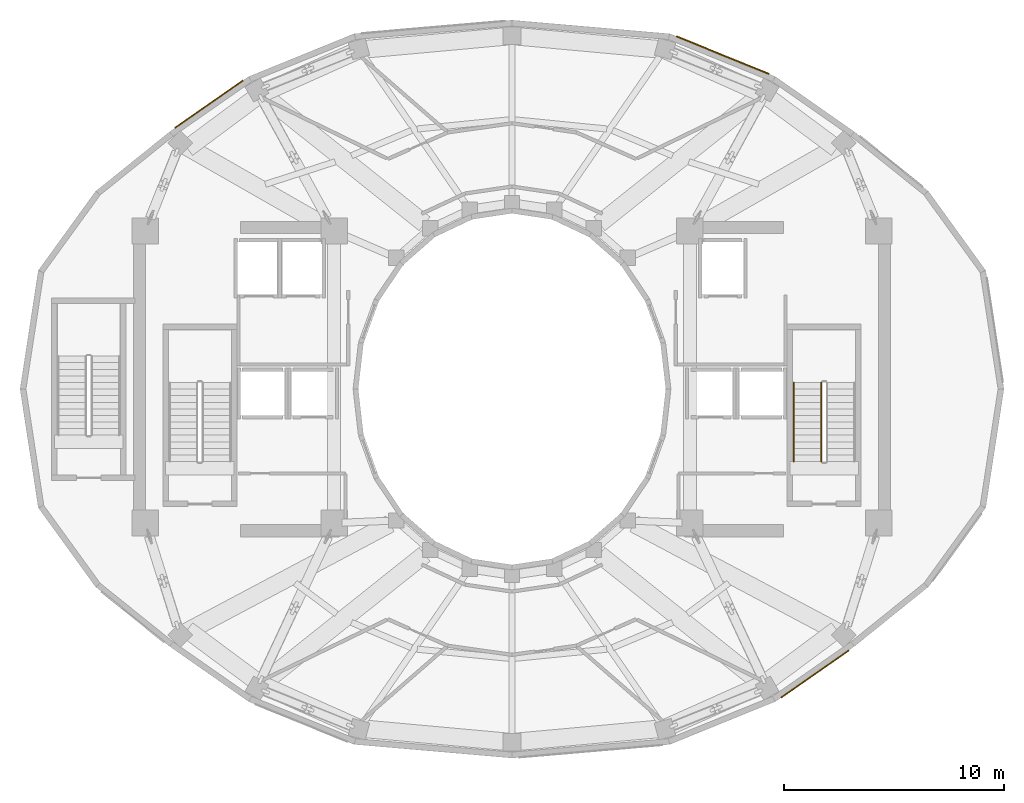
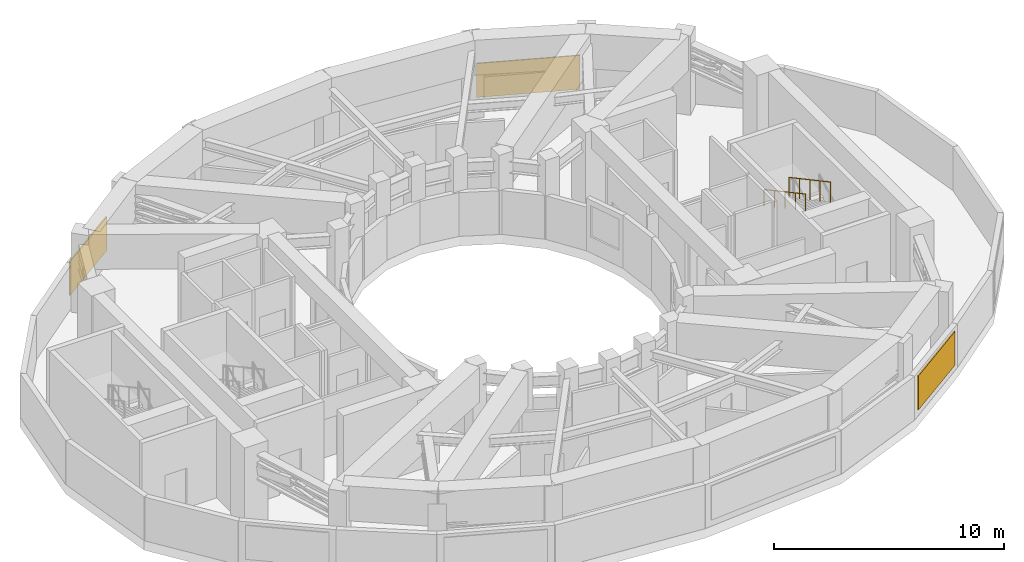
# One storey, part 8 of 10: 3 shading devices, 2 railings.
"""IFC4 building model written with IfcOpenShell, lengths in metres."""

from ifc_helpers import new_model, si_unit, direction, frame, origin, origin_2d, place, context, subcontext, project, spatial, rectangle, circle, extrude, material, layer, layer_set, type_object, element, save


model = new_model("IFC4")

# Units and contexts
model_context = context("Model", 3, precision=1e-05, world=origin(), true_north=direction((0.0, 1.0)))
body_context = subcontext(model_context, "Body", "Model", "MODEL_VIEW")
ifc_project = project(units=[si_unit("LENGTHUNIT", "METRE"), si_unit("AREAUNIT", "SQUARE_METRE"), si_unit("VOLUMEUNIT", "CUBIC_METRE"), si_unit("PLANEANGLEUNIT", "RADIAN"), si_unit("MASSUNIT", "GRAM", prefix="KILO")], contexts=[model_context])

# Site, building, storey
site_placement = place(None, origin())
site = spatial("IfcSite", under=ifc_project, at=site_placement, CompositionType="ELEMENT")
building_placement = place(site_placement, origin())
building = spatial("IfcBuilding", under=site, at=building_placement, Name="Solvane Sanctuary Tower", CompositionType="ELEMENT")
storey_placement = place(building_placement, frame((0.0, 0.0, 193.199951171875)))
storey = spatial("IfcBuildingStorey", under=building, at=storey_placement, Name="L59", CompositionType="ELEMENT", Elevation=193.199951171875)

# Railings
ifc_material_1 = material(Name="Architectural Stainless Steel 316", Category="steel")
railing_type_1 = type_object("IfcRailingType", Name="Railing GR-BALC-1150", PredefinedType="BALUSTRADE", material=ifc_material_1)
railing_1_placement = place(storey_placement, frame((46.080078125, 23.300048828125, 2.261474609375)))
element("IfcRailing", 1, at=railing_1_placement, inside=storey, type_object=railing_type_1, Name="L59 ST-2 stair guard 3", PredefinedType="BALUSTRADE", context=body_context, shape_type="SweptSolid", body=[
    extrude(circle(Radius=0.02392578125, at=origin_2d()), frame((0.0, 0.0, 1.076171875), z_axis=(0.0, -0.880474934443, 0.474092701714), x_axis=(1.0, 0.0, 0.0)), (0.0, 0.0, 1.0), 4.0888671875),
    extrude(circle(Radius=0.02099609375, at=origin_2d()), origin(), (0.0, 0.0, 1.0), 1.052001953125),
    extrude(circle(Radius=0.02099609375, at=origin_2d()), frame((0.0, -0.89990234375, 0.484619140625)), (0.0, 0.0, 1.0), 1.052001953125),
    extrude(circle(Radius=0.02099609375, at=origin_2d()), frame((0.0, -1.800048828125, 0.96923828125)), (0.0, 0.0, 1.0), 1.052001953125),
    extrude(circle(Radius=0.02099609375, at=origin_2d()), frame((0.0, -2.7001953125, 1.453857421875)), (0.0, 0.0, 1.0), 1.052001953125),
    extrude(circle(Radius=0.02099609375, at=origin_2d()), frame((0.0, -3.60009765625, 1.9384765625)), (0.0, 0.0, 1.0), 1.052001953125),
])
railing_type_2 = type_object("IfcRailingType", Name="Railing HR-STAIR-920", PredefinedType="HANDRAIL", material=ifc_material_1)
railing_2_placement = place(storey_placement, frame((44.830078125, 23.300048828125, 2.261474609375)))
element("IfcRailing", 2, at=railing_2_placement, inside=storey, type_object=railing_type_2, Name="L59 ST-2 stair handrail 2", PredefinedType="HANDRAIL", context=body_context, shape_type="SweptSolid", body=[
    extrude(circle(Radius=0.02392578125, at=origin_2d()), frame((0.0, 0.0, 0.8759765625), z_axis=(0.0, -0.880474934443, 0.474092701714), x_axis=(1.0, 0.0, 0.0)), (0.0, 0.0, 1.0), 4.0888671875),
    extrude(circle(Radius=0.02099609375, at=origin_2d()), origin(), (0.0, 0.0, 1.0), 0.851806640625),
    extrude(circle(Radius=0.02099609375, at=origin_2d()), frame((0.0, -0.89990234375, 0.484619140625)), (0.0, 0.0, 1.0), 0.851806640625),
    extrude(circle(Radius=0.02099609375, at=origin_2d()), frame((0.0, -1.800048828125, 0.96923828125)), (0.0, 0.0, 1.0), 0.851806640625),
    extrude(circle(Radius=0.02099609375, at=origin_2d()), frame((0.0, -2.7001953125, 1.453857421875)), (0.0, 0.0, 1.0), 0.851806640625),
    extrude(circle(Radius=0.02099609375, at=origin_2d()), frame((0.0, -3.60009765625, 1.9384765625)), (0.0, 0.0, 1.0), 0.851806640625),
])

# Shading devices
ifc_material_2 = material(Name="Anodised Aluminium 6063-T6", Category="aluminium")
ifc_layer = layer(ifc_material_2, 0.06005859375, Name="Anodised Aluminium 6063-T6")
ifc_layer_set = layer_set([ifc_layer], Name="Anodised Aluminium 6063-T6")
shading_device_type = type_object("IfcShadingDeviceType", Name="Shading SHD-LOUVRE", PredefinedType="JALOUSIE", material=ifc_layer_set)
shading_device_placement = place(storey_placement, frame((41.592041015625, 38.204833984375, 0.35009765625), z_axis=(0.0, 0.0, 1.0), x_axis=(-0.926500392948, 0.376293797273, 0.0)))
element("IfcShadingDevice", 3, at=shading_device_placement, inside=storey, type_object=shading_device_type, Name="L59 Plant Intake Louvre 04", PredefinedType="JALOUSIE", context=body_context, shape_type="SweptSolid", body=[
    extrude(rectangle(XDim=4.5498046875, YDim=0.06005859375, at=origin_2d()), origin(), (0.0, 0.0, 1.0), 1.800048828125),
])
for number, where, z_axis, x_axis, name in (
    (4, (18.202880859375, 35.9716796875, 0.35009765625), (0.0, 0.0, 1.0), (-0.820287660046, -0.571951182161, 0.0), "L59 Plant Intake Louvre 08"),
    (5, (45.797119140625, 10.0283203125, 0.35009765625), (0.0, 0.0, 1.0), (0.820287660046, 0.571951182161, 0.0), "L59 Plant Intake Louvre 20"),
):
    element("IfcShadingDevice", number, at=place(storey_placement, frame(where, z_axis=z_axis, x_axis=x_axis)), inside=storey, type_object=shading_device_type, Name=name, PredefinedType="JALOUSIE", context=body_context, shape_type="SweptSolid", body=[
        extrude(rectangle(XDim=3.76904296875, YDim=0.06005859375, at=origin_2d()), origin(), (0.0, 0.0, 1.0), 1.800048828125),
    ])

save(model, "model.ifc")
